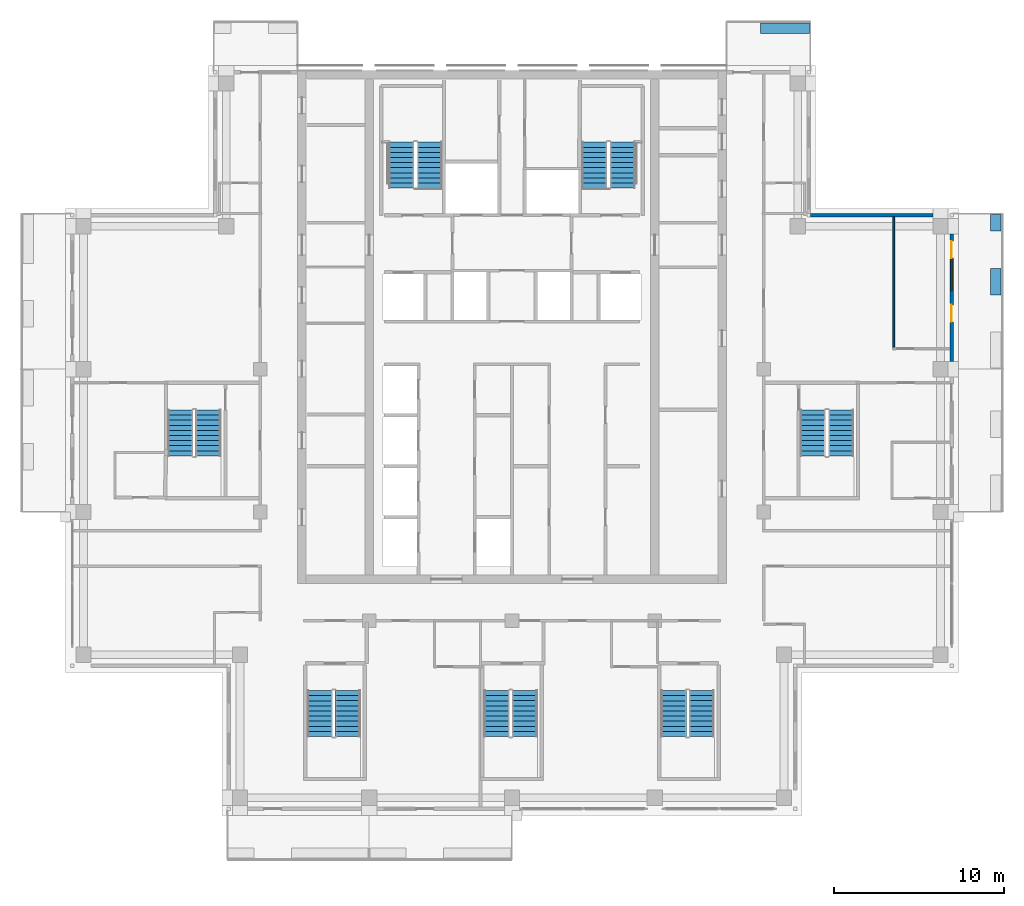
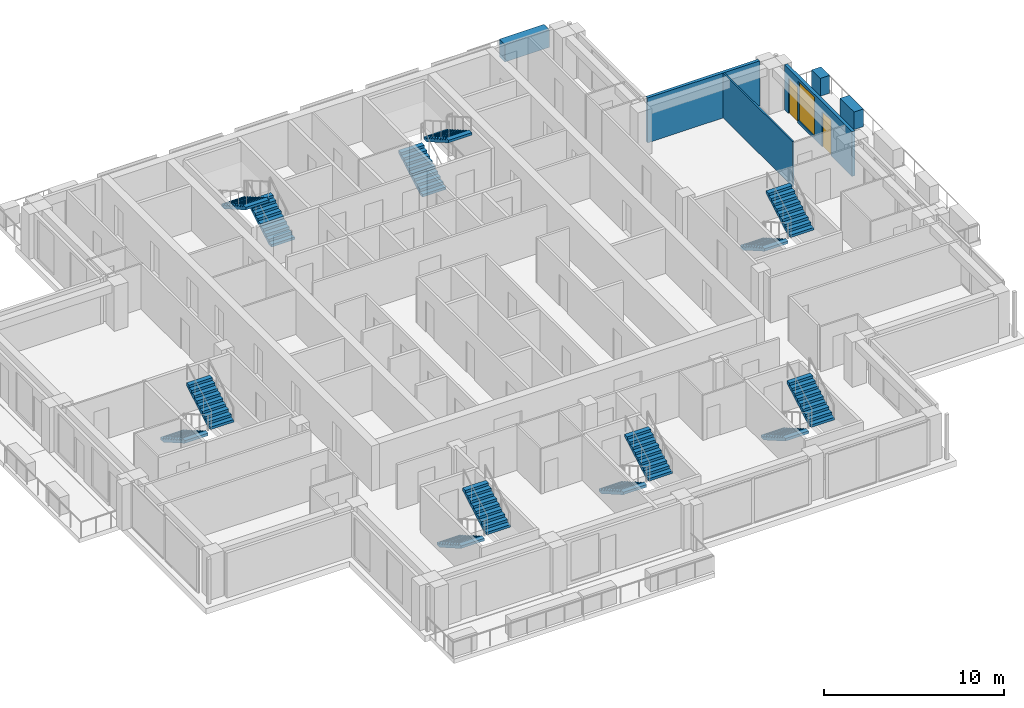
# One storey, part 12 of 16: 14 stair flights, 6 walls, 2 doors, 1 window, 3 openings, 7 elements without a shape of their own.
"""IFC4 building model written with IfcOpenShell, lengths in metres."""

from ifc_helpers import new_model, si_unit, direction, frame, frame_2d, origin, place, context, subcontext, project, spatial, polyline, rectangle, outline, extrude, material, layer, layer_set, type_object, element, fill, aggregate, save


model = new_model("IFC4")

# Units and contexts
model_context = context("Model", 3, precision=1e-05, world=origin(), true_north=direction((0.0, 1.0)))
body_context = subcontext(model_context, "Body", "Model", "MODEL_VIEW")
ifc_project = project(units=[si_unit("LENGTHUNIT", "METRE"), si_unit("AREAUNIT", "SQUARE_METRE"), si_unit("VOLUMEUNIT", "CUBIC_METRE"), si_unit("PLANEANGLEUNIT", "RADIAN"), si_unit("MASSUNIT", "GRAM", prefix="KILO")], contexts=[model_context])

# Site, building, storey
site_placement = place(None, origin())
site = spatial("IfcSite", under=ifc_project, at=site_placement, CompositionType="ELEMENT")
building_placement = place(site_placement, origin())
building = spatial("IfcBuilding", under=site, at=building_placement, Name="Vermilion Ogive Tower", CompositionType="ELEMENT")
storey_placement = place(building_placement, frame((0.0, 0.0, 251.050048828125)))
storey = spatial("IfcBuildingStorey", under=building, at=storey_placement, Name="L66", CompositionType="ELEMENT", Elevation=251.050048828125)

# Walls
ifc_material_1 = material(Name="Gypsum board partition on steel studs", Category="steel")
ifc_layer_1 = layer(ifc_material_1, 0.10009765625)
ifc_layer_set_1 = layer_set([ifc_layer_1], Name="Partition 100 inner")
wall_type_1 = type_object("IfcWallType", Name="Partition 100 inner", PredefinedType="PARTITIONING", material=ifc_layer_set_1)
wall_1_placement = place(storey_placement, frame((22.449951171875, 5.449951171875, 0.0), z_axis=(0.0, 0.0, 1.0), x_axis=(0.0, 1.0, 0.0)))
element("IfcWall", 1, at=wall_1_placement, inside=storey, type_object=wall_type_1, Name="L66-W-W064", PredefinedType="PARTITIONING", context=body_context, shape_type="SweptSolid", body=[
    extrude(rectangle(XDim=7.699951171875, YDim=0.10009765625, at=frame_2d((3.85009765625, 0.0))), origin(), (0.0, 0.0, 1.0), 3.050048828125),
])
ifc_material_2 = material(Name="Concrete B40", Category="concrete")
ifc_layer_2 = layer(ifc_material_2, 0.60009765625)
ifc_layer_set_2 = layer_set([ifc_layer_2], Name="Structural planter")
wall_type_2 = type_object("IfcWallType", Name="Structural planter", PredefinedType="USERDEFINED", material=ifc_layer_set_2)
wall_2_placement = place(storey_placement, frame((28.45361328125, 8.574951171875, -0.0400390625), z_axis=(0.0, 0.0, 1.0), x_axis=(0.0, 1.0, 0.0)))
element("IfcWall", 2, at=wall_2_placement, inside=storey, type_object=wall_type_2, Name="Planter E03A2", ObjectType="PLANTER", PredefinedType="USERDEFINED", context=body_context, shape_type="SweptSolid", body=[
    extrude(rectangle(XDim=1.550048828125, YDim=0.60009765625, at=frame_2d((0.77490234375, 0.0))), origin(), (0.0, 0.0, 1.0), 1.199951171875),
])
wall_3_placement = place(storey_placement, frame((28.45361328125, 12.324951171875, -0.0400390625), z_axis=(0.0, 0.0, 1.0), x_axis=(0.0, 1.0, 0.0)))
element("IfcWall", 3, at=wall_3_placement, inside=storey, type_object=wall_type_2, Name="Planter E03A3", ObjectType="PLANTER", PredefinedType="USERDEFINED", context=body_context, shape_type="SweptSolid", body=[
    extrude(rectangle(XDim=0.965087890625, YDim=0.60009765625, at=frame_2d((0.482421875, 0.0))), origin(), (0.0, 0.0, 1.0), 1.199951171875),
])
wall_4_placement = place(storey_placement, frame((17.489990234375, 24.253662109375, -0.0400390625), z_axis=(0.0, 0.0, 1.0), x_axis=(-1.0, 0.0, 0.0)))
element("IfcWall", 4, at=wall_4_placement, inside=storey, type_object=wall_type_2, Name="Planter N101A1", ObjectType="PLANTER", PredefinedType="USERDEFINED", context=body_context, shape_type="SweptSolid", body=[
    extrude(rectangle(XDim=2.864990234375, YDim=0.60009765625, at=frame_2d((1.4326171875, 0.0))), origin(), (0.0, 0.0, 1.0), 1.199951171875),
])

# Wall, openings, doors, window
ifc_material_3 = material(Name="Aluminium window wall framing", Category="aluminium")
ifc_layer_3 = layer(ifc_material_3, 0.199951171875)
ifc_layer_set_3 = layer_set([ifc_layer_3], Name="Window wall")
wall_type_3 = type_object("IfcWallType", Name="Window wall", PredefinedType="STANDARD", material=ifc_layer_set_3)
wall_5_placement = place(storey_placement, frame((25.85009765625, 4.64990234375, 0.0), z_axis=(0.0, 0.0, 1.0), x_axis=(0.0, 1.0, 0.0)))
wall_5 = element("IfcWall", 5, at=wall_5_placement, inside=storey, type_object=wall_type_3, Name="Window wall E3", PredefinedType="STANDARD", context=body_context, shape_type="SweptSolid", body=[
    extrude(rectangle(XDim=7.5, YDim=0.199951171875, at=frame_2d((3.75, 0.0))), origin(), (0.0, 0.0, 1.0), 3.050048828125),
])
opening_1_placement = place(wall_5_placement, frame((2.324951171875, 0.0, 0.0)))
opening_1 = element("IfcOpeningElement", 6, at=opening_1_placement, cuts=wall_5, Name="Opening D1-E01", PredefinedType="OPENING", context=body_context, shape_type="SweptSolid", body=[
    extrude(rectangle(XDim=1.0, YDim=2.39990234375, at=frame_2d((0.5, 1.199951171875))), frame((0.0, 0.10986328125, 0.0), z_axis=(0.0, -1.0, 0.0), x_axis=(1.0, 0.0, 0.0)), (0.0, 0.0, 1.0), 0.219970703125),
])
opening_2_placement = place(wall_5_placement, frame((4.175048828125, 0.0, 0.199951171875)))
opening_2 = element("IfcOpeningElement", 7, at=opening_2_placement, cuts=wall_5, Name="Opening W1-E02", PredefinedType="OPENING", context=body_context, shape_type="SweptSolid", body=[
    extrude(rectangle(XDim=1.800048828125, YDim=2.64990234375, at=frame_2d((0.89990234375, 1.324951171875))), frame((0.0, 0.10986328125, 0.0), z_axis=(0.0, -1.0, 0.0), x_axis=(1.0, 0.0, 0.0)), (0.0, 0.0, 1.0), 0.219970703125),
])
opening_3_placement = place(wall_5_placement, frame((6.074951171875, 0.0, 0.0)))
opening_3 = element("IfcOpeningElement", 8, at=opening_3_placement, cuts=wall_5, Name="Opening D1-E02", PredefinedType="OPENING", context=body_context, shape_type="SweptSolid", body=[
    extrude(rectangle(XDim=1.0, YDim=2.39990234375, at=frame_2d((0.5, 1.199951171875))), frame((0.0, 0.10986328125, 0.0), z_axis=(0.0, -1.0, 0.0), x_axis=(1.0, 0.0, 0.0)), (0.0, 0.0, 1.0), 0.219970703125),
])
ifc_material_4 = material(Name="Aluminium framed glazed door", Category="aluminium")
door_type = type_object("IfcDoorType", Name="Balcony door D1", OperationType="SINGLE_SWING_LEFT", PredefinedType="DOOR", material=ifc_material_4)
door_1_placement = place(opening_1_placement, origin())
door_1 = element("IfcDoor", 9, at=door_1_placement, inside=storey, type_object=door_type, Name="Balcony door E01", OperationType="SINGLE_SWING_LEFT", OverallHeight=2.39990234375, OverallWidth=1.0, PredefinedType="DOOR", context=body_context, shape_type="SweptSolid", body=[
    extrude(rectangle(XDim=1.0, YDim=2.39990234375, at=frame_2d((0.5, 1.199951171875))), frame((0.0, 0.02490234375, 0.0), z_axis=(0.0, -1.0, 0.0), x_axis=(1.0, 0.0, 0.0)), (0.0, 0.0, 1.0), 0.050048828125),
])
fill(opening_1, door_1)
door_2_placement = place(opening_3_placement, origin())
door_2 = element("IfcDoor", 10, at=door_2_placement, inside=storey, type_object=door_type, Name="Balcony door E02", OperationType="SINGLE_SWING_LEFT", OverallHeight=2.39990234375, OverallWidth=1.0, PredefinedType="DOOR", context=body_context, shape_type="SweptSolid", body=[
    extrude(rectangle(XDim=1.0, YDim=2.39990234375, at=frame_2d((0.5, 1.199951171875))), frame((0.0, 0.02490234375, 0.0), z_axis=(0.0, -1.0, 0.0), x_axis=(1.0, 0.0, 0.0)), (0.0, 0.0, 1.0), 0.050048828125),
])
fill(opening_3, door_2)
ifc_material_5 = material(Name="Aluminium framed double glazing", Category="aluminium")
window_type = type_object("IfcWindowType", Name="Guest window W1", PartitioningType="SINGLE_PANEL", PredefinedType="WINDOW", material=ifc_material_5)
window_placement = place(opening_2_placement, origin())
window = element("IfcWindow", 11, at=window_placement, inside=storey, type_object=window_type, Name="Window E02", OverallHeight=2.64990234375, OverallWidth=1.800048828125, PartitioningType="SINGLE_PANEL", PredefinedType="WINDOW", context=body_context, shape_type="SweptSolid", body=[
    extrude(rectangle(XDim=1.800048828125, YDim=2.64990234375, at=frame_2d((0.89990234375, 1.324951171875))), frame((0.0, 0.030029296875, 0.0), z_axis=(0.0, -1.0, 0.0), x_axis=(1.0, 0.0, 0.0)), (0.0, 0.0, 1.0), 0.06005859375),
])
fill(opening_2, window)

# Wall
wall_6_placement = place(storey_placement, frame((24.75, 13.25, 0.0), z_axis=(0.0, 0.0, 1.0), x_axis=(-1.0, 0.0, 0.0)))
element("IfcWall", 12, at=wall_6_placement, inside=storey, type_object=wall_type_3, Name="Window wall X31", PredefinedType="STANDARD", context=body_context, shape_type="SweptSolid", body=[
    extrude(rectangle(XDim=7.199951171875, YDim=0.199951171875, at=frame_2d((3.60009765625, 0.0))), origin(), (0.0, 0.0, 1.0), 3.050048828125),
])

# Stair, stair flights
ifc_material_6 = material(Name="Concrete B40", Category="concrete")
stair_type = type_object("IfcStairType", Name="Exit stair 1500", PredefinedType="HALF_TURN_STAIR", material=ifc_material_6)
stair_1_placement = place(storey_placement, origin())
stair_1 = element("IfcStair", 13, at=stair_1_placement, inside=storey, type_object=stair_type, Name="L66 Exit Stair ST1", PredefinedType="HALF_TURN_STAIR")
ifc_material_7 = material(Name="Concrete B40", Category="concrete")
stair_flight_type = type_object("IfcStairFlightType", Name="Stair flight 1500", PredefinedType="STRAIGHT", material=ifc_material_7)
stair_flight_1_placement = place(storey_placement, frame((-4.85009765625, 14.85009765625, 0.0), z_axis=(0.0, 0.0, 1.0), x_axis=(0.0, 1.0, 0.0)))
stair_flight_1 = element("IfcStairFlight", 14, at=stair_flight_1_placement, type_object=stair_flight_type, Name="ST1 flight 1", NumberOfRisers=10, NumberOfTreads=9, PredefinedType="STRAIGHT", RiserHeight=0.1725, TreadLength=0.3, context=body_context, shape_type="SweptSolid", body=[
    extrude(outline(polyline([(0.0, 0.0), (0.0, 0.172607421875), (0.300048828125, 0.172607421875), (0.300048828125, 0.344970703125), (0.60009765625, 0.344970703125), (0.60009765625, 0.517578125), (0.89990234375, 0.517578125), (0.89990234375, 0.68994140625), (1.199951171875, 0.68994140625), (1.199951171875, 0.862548828125), (1.5, 0.862548828125), (1.5, 1.034912109375), (1.800048828125, 1.034912109375), (1.800048828125, 1.20751953125), (2.10009765625, 1.20751953125), (2.10009765625, 1.3798828125), (2.39990234375, 1.3798828125), (2.39990234375, 1.552490234375), (2.699951171875, 1.552490234375), (2.699951171875, 1.72509765625), (2.699951171875, 1.379638671875), (0.30078125, 0.0), (0.0, 0.0)])), frame((0.0, 0.75, 0.0), z_axis=(0.0, -1.0, 0.0), x_axis=(1.0, 0.0, 0.0)), (0.0, 0.0, 1.0), 1.5),
])
stair_flight_2_placement = place(storey_placement, frame((-6.5, 17.550048828125, 1.724853515625), z_axis=(0.0, 0.0, 1.0), x_axis=(0.0, -1.0, 0.0)))
stair_flight_2 = element("IfcStairFlight", 15, at=stair_flight_2_placement, type_object=stair_flight_type, Name="ST1 flight 2", NumberOfRisers=10, NumberOfTreads=9, PredefinedType="STRAIGHT", RiserHeight=0.1725, TreadLength=0.3, context=body_context, shape_type="SweptSolid", body=[
    extrude(outline(polyline([(0.0, 0.0), (0.0, 0.172607421875), (0.300048828125, 0.172607421875), (0.300048828125, 0.344970703125), (0.60009765625, 0.344970703125), (0.60009765625, 0.517578125), (0.89990234375, 0.517578125), (0.89990234375, 0.68994140625), (1.199951171875, 0.68994140625), (1.199951171875, 0.862548828125), (1.5, 0.862548828125), (1.5, 1.034912109375), (1.800048828125, 1.034912109375), (1.800048828125, 1.20751953125), (2.10009765625, 1.20751953125), (2.10009765625, 1.3798828125), (2.39990234375, 1.3798828125), (2.39990234375, 1.552490234375), (2.699951171875, 1.552490234375), (2.699951171875, 1.72509765625), (2.699951171875, 1.379638671875), (0.30078125, 0.0), (0.0, 0.0)])), frame((0.0, 0.75, 0.0), z_axis=(0.0, -1.0, 0.0), x_axis=(1.0, 0.0, 0.0)), (0.0, 0.0, 1.0), 1.5),
])
aggregate(stair_1, [stair_flight_1, stair_flight_2])

stair_2_placement = place(storey_placement, origin())
stair_2 = element("IfcStair", 16, at=stair_2_placement, inside=storey, type_object=stair_type, Name="L66 Exit Stair ST2", PredefinedType="HALF_TURN_STAIR")
stair_flight_3_placement = place(storey_placement, frame((4.85009765625, 14.85009765625, 0.0), z_axis=(0.0, 0.0, 1.0), x_axis=(0.0, 1.0, 0.0)))
stair_flight_3 = element("IfcStairFlight", 17, at=stair_flight_3_placement, type_object=stair_flight_type, Name="ST2 flight 1", NumberOfRisers=10, NumberOfTreads=9, PredefinedType="STRAIGHT", RiserHeight=0.1725, TreadLength=0.3, context=body_context, shape_type="SweptSolid", body=[
    extrude(outline(polyline([(0.0, 0.0), (0.0, 0.172607421875), (0.300048828125, 0.172607421875), (0.300048828125, 0.344970703125), (0.60009765625, 0.344970703125), (0.60009765625, 0.517578125), (0.89990234375, 0.517578125), (0.89990234375, 0.68994140625), (1.199951171875, 0.68994140625), (1.199951171875, 0.862548828125), (1.5, 0.862548828125), (1.5, 1.034912109375), (1.800048828125, 1.034912109375), (1.800048828125, 1.20751953125), (2.10009765625, 1.20751953125), (2.10009765625, 1.3798828125), (2.39990234375, 1.3798828125), (2.39990234375, 1.552490234375), (2.699951171875, 1.552490234375), (2.699951171875, 1.72509765625), (2.699951171875, 1.379638671875), (0.30078125, 0.0), (0.0, 0.0)])), frame((0.0, 0.75, 0.0), z_axis=(0.0, -1.0, 0.0), x_axis=(1.0, 0.0, 0.0)), (0.0, 0.0, 1.0), 1.5),
])
stair_flight_4_placement = place(storey_placement, frame((6.5, 17.550048828125, 1.724853515625), z_axis=(0.0, 0.0, 1.0), x_axis=(0.0, -1.0, 0.0)))
stair_flight_4 = element("IfcStairFlight", 18, at=stair_flight_4_placement, type_object=stair_flight_type, Name="ST2 flight 2", NumberOfRisers=10, NumberOfTreads=9, PredefinedType="STRAIGHT", RiserHeight=0.1725, TreadLength=0.3, context=body_context, shape_type="SweptSolid", body=[
    extrude(outline(polyline([(0.0, 0.0), (0.0, 0.172607421875), (0.300048828125, 0.172607421875), (0.300048828125, 0.344970703125), (0.60009765625, 0.344970703125), (0.60009765625, 0.517578125), (0.89990234375, 0.517578125), (0.89990234375, 0.68994140625), (1.199951171875, 0.68994140625), (1.199951171875, 0.862548828125), (1.5, 0.862548828125), (1.5, 1.034912109375), (1.800048828125, 1.034912109375), (1.800048828125, 1.20751953125), (2.10009765625, 1.20751953125), (2.10009765625, 1.3798828125), (2.39990234375, 1.3798828125), (2.39990234375, 1.552490234375), (2.699951171875, 1.552490234375), (2.699951171875, 1.72509765625), (2.699951171875, 1.379638671875), (0.30078125, 0.0), (0.0, 0.0)])), frame((0.0, 0.75, 0.0), z_axis=(0.0, -1.0, 0.0), x_axis=(1.0, 0.0, 0.0)), (0.0, 0.0, 1.0), 1.5),
])
aggregate(stair_2, [stair_flight_3, stair_flight_4])

stair_3_placement = place(storey_placement, origin())
stair_3 = element("IfcStair", 19, at=stair_3_placement, inside=storey, type_object=stair_type, Name="L66 Exit Stair ST3", PredefinedType="HALF_TURN_STAIR")
stair_flight_5_placement = place(storey_placement, frame((-11.300048828125, -14.699951171875, 0.0), z_axis=(0.0, 0.0, 1.0), x_axis=(0.0, -1.0, 0.0)))
stair_flight_5 = element("IfcStairFlight", 20, at=stair_flight_5_placement, type_object=stair_flight_type, Name="ST3 flight 1", NumberOfRisers=10, NumberOfTreads=9, PredefinedType="STRAIGHT", RiserHeight=0.1725, TreadLength=0.3, context=body_context, shape_type="SweptSolid", body=[
    extrude(outline(polyline([(0.0, 0.0), (0.0, 0.172607421875), (0.300048828125, 0.172607421875), (0.300048828125, 0.344970703125), (0.60009765625, 0.344970703125), (0.60009765625, 0.517578125), (0.89990234375, 0.517578125), (0.89990234375, 0.68994140625), (1.199951171875, 0.68994140625), (1.199951171875, 0.862548828125), (1.5, 0.862548828125), (1.5, 1.034912109375), (1.800048828125, 1.034912109375), (1.800048828125, 1.20751953125), (2.10009765625, 1.20751953125), (2.10009765625, 1.3798828125), (2.39990234375, 1.3798828125), (2.39990234375, 1.552490234375), (2.699951171875, 1.552490234375), (2.699951171875, 1.72509765625), (2.699951171875, 1.379638671875), (0.30078125, 0.0), (0.0, 0.0)])), frame((0.0, 0.75, 0.0), z_axis=(0.0, -1.0, 0.0), x_axis=(1.0, 0.0, 0.0)), (0.0, 0.0, 1.0), 1.5),
])
stair_flight_6_placement = place(storey_placement, frame((-9.64990234375, -17.39990234375, 1.724853515625), z_axis=(0.0, 0.0, 1.0), x_axis=(0.0, 1.0, 0.0)))
stair_flight_6 = element("IfcStairFlight", 21, at=stair_flight_6_placement, type_object=stair_flight_type, Name="ST3 flight 2", NumberOfRisers=10, NumberOfTreads=9, PredefinedType="STRAIGHT", RiserHeight=0.1725, TreadLength=0.3, context=body_context, shape_type="SweptSolid", body=[
    extrude(outline(polyline([(0.0, 0.0), (0.0, 0.172607421875), (0.300048828125, 0.172607421875), (0.300048828125, 0.344970703125), (0.60009765625, 0.344970703125), (0.60009765625, 0.517578125), (0.89990234375, 0.517578125), (0.89990234375, 0.68994140625), (1.199951171875, 0.68994140625), (1.199951171875, 0.862548828125), (1.5, 0.862548828125), (1.5, 1.034912109375), (1.800048828125, 1.034912109375), (1.800048828125, 1.20751953125), (2.10009765625, 1.20751953125), (2.10009765625, 1.3798828125), (2.39990234375, 1.3798828125), (2.39990234375, 1.552490234375), (2.699951171875, 1.552490234375), (2.699951171875, 1.72509765625), (2.699951171875, 1.379638671875), (0.30078125, 0.0), (0.0, 0.0)])), frame((0.0, 0.75, 0.0), z_axis=(0.0, -1.0, 0.0), x_axis=(1.0, 0.0, 0.0)), (0.0, 0.0, 1.0), 1.5),
])
aggregate(stair_3, [stair_flight_5, stair_flight_6])

stair_4_placement = place(storey_placement, origin())
stair_4 = element("IfcStair", 22, at=stair_4_placement, inside=storey, type_object=stair_type, Name="L66 Exit Stair ST4", PredefinedType="HALF_TURN_STAIR")
stair_flight_7_placement = place(storey_placement, frame((-0.89990234375, -14.699951171875, 0.0), z_axis=(0.0, 0.0, 1.0), x_axis=(0.0, -1.0, 0.0)))
stair_flight_7 = element("IfcStairFlight", 23, at=stair_flight_7_placement, type_object=stair_flight_type, Name="ST4 flight 1", NumberOfRisers=10, NumberOfTreads=9, PredefinedType="STRAIGHT", RiserHeight=0.1725, TreadLength=0.3, context=body_context, shape_type="SweptSolid", body=[
    extrude(outline(polyline([(0.0, 0.0), (0.0, 0.172607421875), (0.300048828125, 0.172607421875), (0.300048828125, 0.344970703125), (0.60009765625, 0.344970703125), (0.60009765625, 0.517578125), (0.89990234375, 0.517578125), (0.89990234375, 0.68994140625), (1.199951171875, 0.68994140625), (1.199951171875, 0.862548828125), (1.5, 0.862548828125), (1.5, 1.034912109375), (1.800048828125, 1.034912109375), (1.800048828125, 1.20751953125), (2.10009765625, 1.20751953125), (2.10009765625, 1.3798828125), (2.39990234375, 1.3798828125), (2.39990234375, 1.552490234375), (2.699951171875, 1.552490234375), (2.699951171875, 1.72509765625), (2.699951171875, 1.379638671875), (0.30078125, 0.0), (0.0, 0.0)])), frame((0.0, 0.75, 0.0), z_axis=(0.0, -1.0, 0.0), x_axis=(1.0, 0.0, 0.0)), (0.0, 0.0, 1.0), 1.5),
])
stair_flight_8_placement = place(storey_placement, frame((0.75, -17.39990234375, 1.724853515625), z_axis=(0.0, 0.0, 1.0), x_axis=(0.0, 1.0, 0.0)))
stair_flight_8 = element("IfcStairFlight", 24, at=stair_flight_8_placement, type_object=stair_flight_type, Name="ST4 flight 2", NumberOfRisers=10, NumberOfTreads=9, PredefinedType="STRAIGHT", RiserHeight=0.1725, TreadLength=0.3, context=body_context, shape_type="SweptSolid", body=[
    extrude(outline(polyline([(0.0, 0.0), (0.0, 0.172607421875), (0.300048828125, 0.172607421875), (0.300048828125, 0.344970703125), (0.60009765625, 0.344970703125), (0.60009765625, 0.517578125), (0.89990234375, 0.517578125), (0.89990234375, 0.68994140625), (1.199951171875, 0.68994140625), (1.199951171875, 0.862548828125), (1.5, 0.862548828125), (1.5, 1.034912109375), (1.800048828125, 1.034912109375), (1.800048828125, 1.20751953125), (2.10009765625, 1.20751953125), (2.10009765625, 1.3798828125), (2.39990234375, 1.3798828125), (2.39990234375, 1.552490234375), (2.699951171875, 1.552490234375), (2.699951171875, 1.72509765625), (2.699951171875, 1.379638671875), (0.30078125, 0.0), (0.0, 0.0)])), frame((0.0, 0.75, 0.0), z_axis=(0.0, -1.0, 0.0), x_axis=(1.0, 0.0, 0.0)), (0.0, 0.0, 1.0), 1.5),
])
aggregate(stair_4, [stair_flight_7, stair_flight_8])

stair_5_placement = place(storey_placement, origin())
stair_5 = element("IfcStair", 25, at=stair_5_placement, inside=storey, type_object=stair_type, Name="L66 Exit Stair ST5", PredefinedType="HALF_TURN_STAIR")
stair_flight_9_placement = place(storey_placement, frame((9.5, -14.699951171875, 0.0), z_axis=(0.0, 0.0, 1.0), x_axis=(0.0, -1.0, 0.0)))
stair_flight_9 = element("IfcStairFlight", 26, at=stair_flight_9_placement, type_object=stair_flight_type, Name="ST5 flight 1", NumberOfRisers=10, NumberOfTreads=9, PredefinedType="STRAIGHT", RiserHeight=0.1725, TreadLength=0.3, context=body_context, shape_type="SweptSolid", body=[
    extrude(outline(polyline([(0.0, 0.0), (0.0, 0.172607421875), (0.300048828125, 0.172607421875), (0.300048828125, 0.344970703125), (0.60009765625, 0.344970703125), (0.60009765625, 0.517578125), (0.89990234375, 0.517578125), (0.89990234375, 0.68994140625), (1.199951171875, 0.68994140625), (1.199951171875, 0.862548828125), (1.5, 0.862548828125), (1.5, 1.034912109375), (1.800048828125, 1.034912109375), (1.800048828125, 1.20751953125), (2.10009765625, 1.20751953125), (2.10009765625, 1.3798828125), (2.39990234375, 1.3798828125), (2.39990234375, 1.552490234375), (2.699951171875, 1.552490234375), (2.699951171875, 1.72509765625), (2.699951171875, 1.379638671875), (0.30078125, 0.0), (0.0, 0.0)])), frame((0.0, 0.75, 0.0), z_axis=(0.0, -1.0, 0.0), x_axis=(1.0, 0.0, 0.0)), (0.0, 0.0, 1.0), 1.5),
])
stair_flight_10_placement = place(storey_placement, frame((11.14990234375, -17.39990234375, 1.724853515625), z_axis=(0.0, 0.0, 1.0), x_axis=(0.0, 1.0, 0.0)))
stair_flight_10 = element("IfcStairFlight", 27, at=stair_flight_10_placement, type_object=stair_flight_type, Name="ST5 flight 2", NumberOfRisers=10, NumberOfTreads=9, PredefinedType="STRAIGHT", RiserHeight=0.1725, TreadLength=0.3, context=body_context, shape_type="SweptSolid", body=[
    extrude(outline(polyline([(0.0, 0.0), (0.0, 0.172607421875), (0.300048828125, 0.172607421875), (0.300048828125, 0.344970703125), (0.60009765625, 0.344970703125), (0.60009765625, 0.517578125), (0.89990234375, 0.517578125), (0.89990234375, 0.68994140625), (1.199951171875, 0.68994140625), (1.199951171875, 0.862548828125), (1.5, 0.862548828125), (1.5, 1.034912109375), (1.800048828125, 1.034912109375), (1.800048828125, 1.20751953125), (2.10009765625, 1.20751953125), (2.10009765625, 1.3798828125), (2.39990234375, 1.3798828125), (2.39990234375, 1.552490234375), (2.699951171875, 1.552490234375), (2.699951171875, 1.72509765625), (2.699951171875, 1.379638671875), (0.30078125, 0.0), (0.0, 0.0)])), frame((0.0, 0.75, 0.0), z_axis=(0.0, -1.0, 0.0), x_axis=(1.0, 0.0, 0.0)), (0.0, 0.0, 1.0), 1.5),
])
aggregate(stair_5, [stair_flight_9, stair_flight_10])

stair_6_placement = place(storey_placement, origin())
stair_6 = element("IfcStair", 28, at=stair_6_placement, inside=storey, type_object=stair_type, Name="L66 Exit Stair ST8", PredefinedType="HALF_TURN_STAIR")
stair_flight_11_placement = place(storey_placement, frame((17.699951171875, 1.800048828125, 0.0), z_axis=(0.0, 0.0, 1.0), x_axis=(0.0, -1.0, 0.0)))
stair_flight_11 = element("IfcStairFlight", 29, at=stair_flight_11_placement, type_object=stair_flight_type, Name="ST8 flight 1", NumberOfRisers=10, NumberOfTreads=9, PredefinedType="STRAIGHT", RiserHeight=0.1725, TreadLength=0.3, context=body_context, shape_type="SweptSolid", body=[
    extrude(outline(polyline([(0.0, 0.0), (0.0, 0.172607421875), (0.300048828125, 0.172607421875), (0.300048828125, 0.344970703125), (0.60009765625, 0.344970703125), (0.60009765625, 0.517578125), (0.89990234375, 0.517578125), (0.89990234375, 0.68994140625), (1.199951171875, 0.68994140625), (1.199951171875, 0.862548828125), (1.5, 0.862548828125), (1.5, 1.034912109375), (1.800048828125, 1.034912109375), (1.800048828125, 1.20751953125), (2.10009765625, 1.20751953125), (2.10009765625, 1.3798828125), (2.39990234375, 1.3798828125), (2.39990234375, 1.552490234375), (2.699951171875, 1.552490234375), (2.699951171875, 1.72509765625), (2.699951171875, 1.379638671875), (0.30078125, 0.0), (0.0, 0.0)])), frame((0.0, 0.75, 0.0), z_axis=(0.0, -1.0, 0.0), x_axis=(1.0, 0.0, 0.0)), (0.0, 0.0, 1.0), 1.5),
])
stair_flight_12_placement = place(storey_placement, frame((19.35009765625, -0.89990234375, 1.724853515625), z_axis=(0.0, 0.0, 1.0), x_axis=(0.0, 1.0, 0.0)))
stair_flight_12 = element("IfcStairFlight", 30, at=stair_flight_12_placement, type_object=stair_flight_type, Name="ST8 flight 2", NumberOfRisers=10, NumberOfTreads=9, PredefinedType="STRAIGHT", RiserHeight=0.1725, TreadLength=0.3, context=body_context, shape_type="SweptSolid", body=[
    extrude(outline(polyline([(0.0, 0.0), (0.0, 0.172607421875), (0.300048828125, 0.172607421875), (0.300048828125, 0.344970703125), (0.60009765625, 0.344970703125), (0.60009765625, 0.517578125), (0.89990234375, 0.517578125), (0.89990234375, 0.68994140625), (1.199951171875, 0.68994140625), (1.199951171875, 0.862548828125), (1.5, 0.862548828125), (1.5, 1.034912109375), (1.800048828125, 1.034912109375), (1.800048828125, 1.20751953125), (2.10009765625, 1.20751953125), (2.10009765625, 1.3798828125), (2.39990234375, 1.3798828125), (2.39990234375, 1.552490234375), (2.699951171875, 1.552490234375), (2.699951171875, 1.72509765625), (2.699951171875, 1.379638671875), (0.30078125, 0.0), (0.0, 0.0)])), frame((0.0, 0.75, 0.0), z_axis=(0.0, -1.0, 0.0), x_axis=(1.0, 0.0, 0.0)), (0.0, 0.0, 1.0), 1.5),
])
aggregate(stair_6, [stair_flight_11, stair_flight_12])

stair_7_placement = place(storey_placement, origin())
stair_7 = element("IfcStair", 31, at=stair_7_placement, inside=storey, type_object=stair_type, Name="L66 Exit Stair ST9", PredefinedType="HALF_TURN_STAIR")
stair_flight_13_placement = place(storey_placement, frame((-19.5, 1.800048828125, 0.0), z_axis=(0.0, 0.0, 1.0), x_axis=(0.0, -1.0, 0.0)))
stair_flight_13 = element("IfcStairFlight", 32, at=stair_flight_13_placement, type_object=stair_flight_type, Name="ST9 flight 1", NumberOfRisers=10, NumberOfTreads=9, PredefinedType="STRAIGHT", RiserHeight=0.1725, TreadLength=0.3, context=body_context, shape_type="SweptSolid", body=[
    extrude(outline(polyline([(0.0, 0.0), (0.0, 0.172607421875), (0.300048828125, 0.172607421875), (0.300048828125, 0.344970703125), (0.60009765625, 0.344970703125), (0.60009765625, 0.517578125), (0.89990234375, 0.517578125), (0.89990234375, 0.68994140625), (1.199951171875, 0.68994140625), (1.199951171875, 0.862548828125), (1.5, 0.862548828125), (1.5, 1.034912109375), (1.800048828125, 1.034912109375), (1.800048828125, 1.20751953125), (2.10009765625, 1.20751953125), (2.10009765625, 1.3798828125), (2.39990234375, 1.3798828125), (2.39990234375, 1.552490234375), (2.699951171875, 1.552490234375), (2.699951171875, 1.72509765625), (2.699951171875, 1.379638671875), (0.30078125, 0.0), (0.0, 0.0)])), frame((0.0, 0.75, 0.0), z_axis=(0.0, -1.0, 0.0), x_axis=(1.0, 0.0, 0.0)), (0.0, 0.0, 1.0), 1.5),
])
stair_flight_14_placement = place(storey_placement, frame((-17.85009765625, -0.89990234375, 1.724853515625), z_axis=(0.0, 0.0, 1.0), x_axis=(0.0, 1.0, 0.0)))
stair_flight_14 = element("IfcStairFlight", 33, at=stair_flight_14_placement, type_object=stair_flight_type, Name="ST9 flight 2", NumberOfRisers=10, NumberOfTreads=9, PredefinedType="STRAIGHT", RiserHeight=0.1725, TreadLength=0.3, context=body_context, shape_type="SweptSolid", body=[
    extrude(outline(polyline([(0.0, 0.0), (0.0, 0.172607421875), (0.300048828125, 0.172607421875), (0.300048828125, 0.344970703125), (0.60009765625, 0.344970703125), (0.60009765625, 0.517578125), (0.89990234375, 0.517578125), (0.89990234375, 0.68994140625), (1.199951171875, 0.68994140625), (1.199951171875, 0.862548828125), (1.5, 0.862548828125), (1.5, 1.034912109375), (1.800048828125, 1.034912109375), (1.800048828125, 1.20751953125), (2.10009765625, 1.20751953125), (2.10009765625, 1.3798828125), (2.39990234375, 1.3798828125), (2.39990234375, 1.552490234375), (2.699951171875, 1.552490234375), (2.699951171875, 1.72509765625), (2.699951171875, 1.379638671875), (0.30078125, 0.0), (0.0, 0.0)])), frame((0.0, 0.75, 0.0), z_axis=(0.0, -1.0, 0.0), x_axis=(1.0, 0.0, 0.0)), (0.0, 0.0, 1.0), 1.5),
])
aggregate(stair_7, [stair_flight_13, stair_flight_14])

save(model, "model.ifc")
